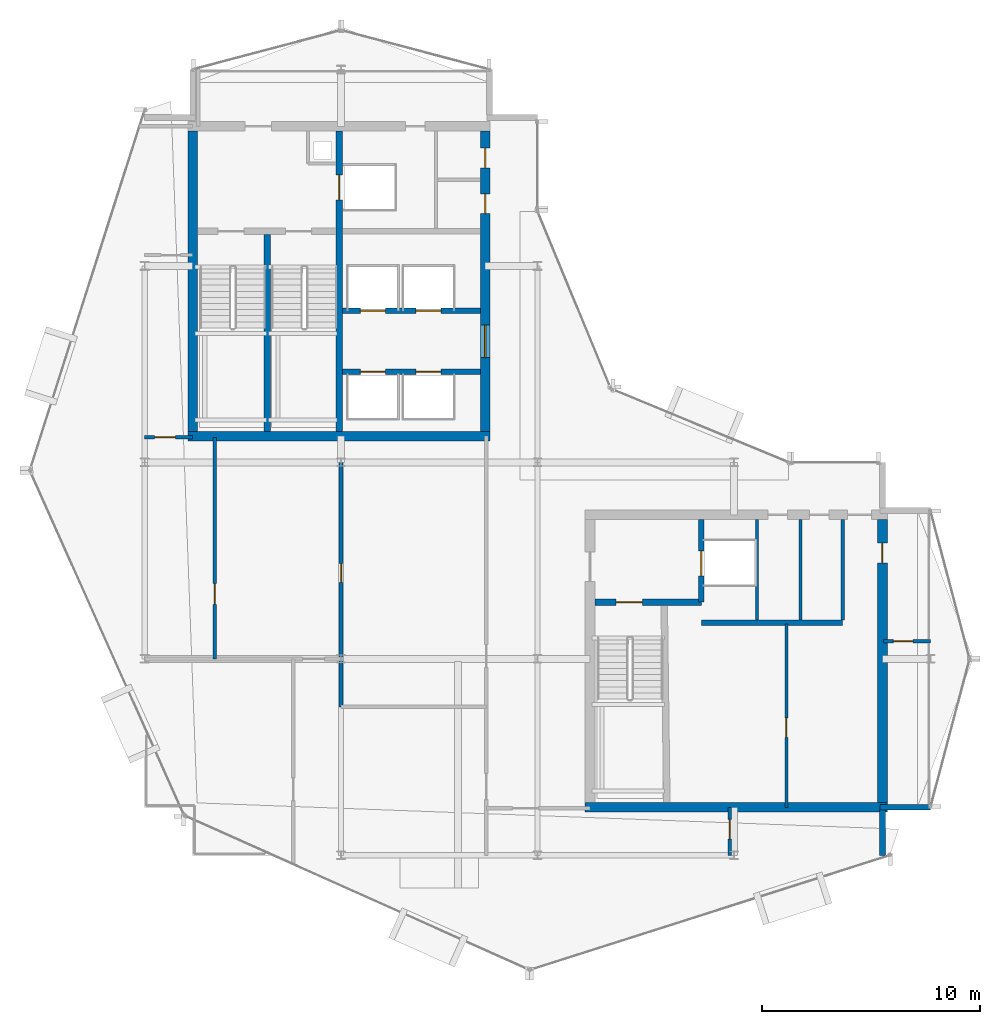
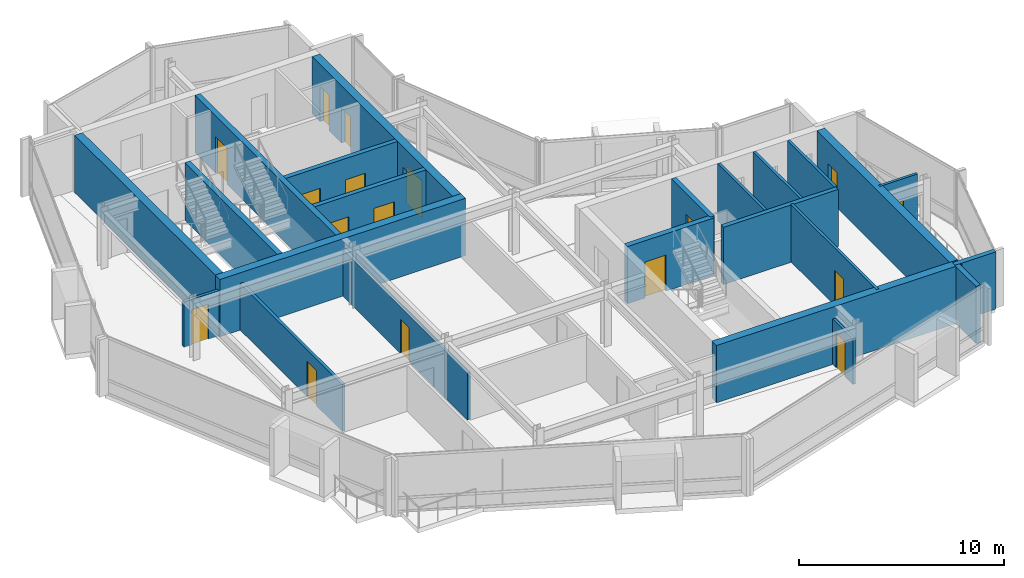
# One storey, part 14 of 19: 23 walls, 17 doors, 17 openings.
"""IFC4 building model written with IfcOpenShell, lengths in metres."""

from ifc_helpers import new_model, si_unit, direction, frame, frame_2d, origin, place, context, subcontext, project, spatial, rectangle, extrude, material, layer, layer_set, type_object, element, fill, save


model = new_model("IFC4")

# Units and contexts
model_context = context("Model", 3, precision=1e-05, world=origin(), true_north=direction((0.0, 1.0)))
body_context = subcontext(model_context, "Body", "Model", "MODEL_VIEW")
ifc_project = project(units=[si_unit("LENGTHUNIT", "METRE"), si_unit("AREAUNIT", "SQUARE_METRE"), si_unit("VOLUMEUNIT", "CUBIC_METRE"), si_unit("PLANEANGLEUNIT", "RADIAN"), si_unit("MASSUNIT", "GRAM", prefix="KILO")], contexts=[model_context])

# Site, building, storey
site_placement = place(None, origin())
site = spatial("IfcSite", under=ifc_project, at=site_placement, CompositionType="ELEMENT")
building_placement = place(site_placement, origin())
building = spatial("IfcBuilding", under=site, at=building_placement, Name="Solvaryn Broadcast Tower", CompositionType="ELEMENT")
storey_placement = place(building_placement, frame((0.0, 0.0, 266.699951171875)))
storey = spatial("IfcBuildingStorey", under=building, at=storey_placement, Name="L67", CompositionType="ELEMENT", Elevation=266.699951171875)

# Walls
ifc_material_1 = material(Name="Concrete f'c 70 MPa", Category="concrete")
ifc_layer_1 = layer(ifc_material_1, 0.449951171875)
ifc_layer_set_1 = layer_set([ifc_layer_1], Name="CW-SHEAR-450")
wall_type_1 = type_object("IfcWallType", Name="CW-SHEAR-450", PredefinedType="SHEAR", material=ifc_layer_set_1)
wall_1_placement = place(storey_placement, frame((10.97509765625, 28.199951171875, 0.0), z_axis=(0.0, 0.0, 1.0), x_axis=(1.0, 0.0, 0.0)))
element("IfcWall", 1, at=wall_1_placement, inside=storey, type_object=wall_type_1, Name="L67 West Core South Shear Wall", PredefinedType="SHEAR", context=body_context, shape_type="SweptSolid", body=[
    extrude(rectangle(XDim=13.849853515625, YDim=0.449951171875, at=frame_2d((6.9248046875, 0.0))), origin(), (0.0, 0.0, 1.0), 3.420166015625),
])
wall_2_placement = place(storey_placement, frame((11.199951171875, 42.175048828125, 0.0), z_axis=(0.0, 0.0, 1.0), x_axis=(0.0, -1.0, 0.0)))
element("IfcWall", 2, at=wall_2_placement, inside=storey, type_object=wall_type_1, Name="L67 West Core West Shear Wall", PredefinedType="SHEAR", context=body_context, shape_type="SweptSolid", body=[
    extrude(rectangle(XDim=13.75, YDim=0.449951171875, at=frame_2d((6.875, 0.0))), origin(), (0.0, 0.0, 1.0), 3.420166015625),
])

# Wall, openings, doors
wall_3_placement = place(storey_placement, frame((24.60009765625, 28.425048828125, 0.0), z_axis=(0.0, 0.0, 1.0), x_axis=(0.0, 1.0, 0.0)))
wall_3 = element("IfcWall", 3, at=wall_3_placement, inside=storey, type_object=wall_type_1, Name="L67 West Core East Shear Wall", PredefinedType="SHEAR", context=body_context, shape_type="SweptSolid", body=[
    extrude(rectangle(XDim=13.75, YDim=0.449951171875, at=frame_2d((6.875, 0.0))), origin(), (0.0, 0.0, 1.0), 3.420166015625),
])
opening_1_placement = place(wall_3_placement, frame((3.375, 0.0, 0.0)))
opening_1 = element("IfcOpeningElement", 4, at=opening_1_placement, cuts=wall_3, Name="Opening FD60A", PredefinedType="OPENING", context=body_context, shape_type="SweptSolid", body=[
    extrude(rectangle(XDim=1.5, YDim=2.199951171875, at=frame_2d((0.75, 1.10009765625))), frame((0.0, 0.235107421875, 0.0), z_axis=(0.0, -1.0, 0.0), x_axis=(1.0, 0.0, 0.0)), (0.0, 0.0, 1.0), 0.469970703125),
])
opening_2_placement = place(wall_3_placement, frame((9.97509765625, 0.0, 0.0)))
opening_2 = element("IfcOpeningElement", 5, at=opening_2_placement, cuts=wall_3, Name="Opening FD60C", PredefinedType="OPENING", context=body_context, shape_type="SweptSolid", body=[
    extrude(rectangle(XDim=0.89990234375, YDim=2.10009765625, at=frame_2d((0.449951171875, 1.050048828125))), frame((0.0, 0.235107421875, 0.0), z_axis=(0.0, -1.0, 0.0), x_axis=(1.0, 0.0, 0.0)), (0.0, 0.0, 1.0), 0.469970703125),
])
opening_3_placement = place(wall_3_placement, frame((12.074951171875, 0.0, 0.0)))
opening_3 = element("IfcOpeningElement", 6, at=opening_3_placement, cuts=wall_3, Name="Opening FD60C", PredefinedType="OPENING", context=body_context, shape_type="SweptSolid", body=[
    extrude(rectangle(XDim=0.89990234375, YDim=2.10009765625, at=frame_2d((0.449951171875, 1.050048828125))), frame((0.0, 0.235107421875, 0.0), z_axis=(0.0, -1.0, 0.0), x_axis=(1.0, 0.0, 0.0)), (0.0, 0.0, 1.0), 0.469970703125),
])
ifc_material_2 = material(Name="Flush Acoustic Steel and Timber Door Assembly", Category="steel")
door_type_1 = type_object("IfcDoorType", Name="FD60-CORR-1500X2200", OperationType="NOTDEFINED", PredefinedType="DOOR", material=ifc_material_2)
door_1_placement = place(opening_1_placement, origin())
door_1 = element("IfcDoor", 7, at=door_1_placement, inside=storey, type_object=door_type_1, Name="L67 West Elevator Lobby Corridor Door", OperationType="DOUBLE_DOOR_SINGLE_SWING", OverallHeight=2.199951171875, OverallWidth=1.5, PredefinedType="DOOR", context=body_context, shape_type="SweptSolid", body=[
    extrude(rectangle(XDim=1.5, YDim=2.199951171875, at=frame_2d((0.75, 1.10009765625))), frame((0.0, 0.02490234375, 0.0), z_axis=(0.0, -1.0, 0.0), x_axis=(1.0, 0.0, 0.0)), (0.0, 0.0, 1.0), 0.050048828125),
])
fill(opening_1, door_1)
ifc_material_3 = material(Name="Flush Acoustic Steel and Timber Door Assembly", Category="steel")
door_type_2 = type_object("IfcDoorType", Name="FD60-SERV-900X2100", OperationType="NOTDEFINED", PredefinedType="DOOR", material=ifc_material_3)
door_2_placement = place(opening_2_placement, origin())
door_2 = element("IfcDoor", 8, at=door_2_placement, inside=storey, type_object=door_type_2, Name="L67 West Core Service Door 1", OperationType="SINGLE_SWING_LEFT", OverallHeight=2.10009765625, OverallWidth=0.89990234375, PredefinedType="DOOR", context=body_context, shape_type="SweptSolid", body=[
    extrude(rectangle(XDim=0.89990234375, YDim=2.10009765625, at=frame_2d((0.449951171875, 1.050048828125))), frame((0.0, 0.02490234375, 0.0), z_axis=(0.0, -1.0, 0.0), x_axis=(1.0, 0.0, 0.0)), (0.0, 0.0, 1.0), 0.050048828125),
])
fill(opening_2, door_2)
door_3_placement = place(opening_3_placement, origin())
door_3 = element("IfcDoor", 9, at=door_3_placement, inside=storey, type_object=door_type_2, Name="L67 West Core Janitor Door", OperationType="SINGLE_SWING_RIGHT", OverallHeight=2.10009765625, OverallWidth=0.89990234375, PredefinedType="DOOR", context=body_context, shape_type="SweptSolid", body=[
    extrude(rectangle(XDim=0.89990234375, YDim=2.10009765625, at=frame_2d((0.449951171875, 1.050048828125))), frame((0.0, 0.02490234375, 0.0), z_axis=(0.0, -1.0, 0.0), x_axis=(1.0, 0.0, 0.0)), (0.0, 0.0, 1.0), 0.050048828125),
])
fill(opening_3, door_3)

# Wall
wall_4_placement = place(storey_placement, frame((29.175048828125, 11.199951171875, 0.0), z_axis=(0.0, 0.0, 1.0), x_axis=(1.0, 0.0, 0.0)))
element("IfcWall", 10, at=wall_4_placement, inside=storey, type_object=wall_type_1, Name="L67 East Core South Shear Wall", PredefinedType="SHEAR", context=body_context, shape_type="SweptSolid", body=[
    extrude(rectangle(XDim=13.849853515625, YDim=0.449951171875, at=frame_2d((6.9248046875, 0.0))), origin(), (0.0, 0.0, 1.0), 3.420166015625),
])

# Wall, opening, door
wall_5_placement = place(storey_placement, frame((42.800048828125, 11.425048828125, 0.0), z_axis=(0.0, 0.0, 1.0), x_axis=(0.0, 1.0, 0.0)))
wall_5 = element("IfcWall", 11, at=wall_5_placement, inside=storey, type_object=wall_type_1, Name="L67 East Core East Shear Wall", PredefinedType="SHEAR", context=body_context, shape_type="SweptSolid", body=[
    extrude(rectangle(XDim=12.949951171875, YDim=0.449951171875, at=frame_2d((6.47509765625, 0.0))), origin(), (0.0, 0.0, 1.0), 3.420166015625),
])
opening_4_placement = place(wall_5_placement, frame((10.97509765625, 0.0, 0.0)))
opening_4 = element("IfcOpeningElement", 12, at=opening_4_placement, cuts=wall_5, Name="Opening FD60C", PredefinedType="OPENING", context=body_context, shape_type="SweptSolid", body=[
    extrude(rectangle(XDim=0.89990234375, YDim=2.10009765625, at=frame_2d((0.449951171875, 1.050048828125))), frame((0.0, 0.235107421875, 0.0), z_axis=(0.0, -1.0, 0.0), x_axis=(1.0, 0.0, 0.0)), (0.0, 0.0, 1.0), 0.469970703125),
])
door_4_placement = place(opening_4_placement, origin())
door_4 = element("IfcDoor", 13, at=door_4_placement, inside=storey, type_object=door_type_2, Name="L67 Upper East Studio Door", OperationType="SINGLE_SWING_RIGHT", OverallHeight=2.10009765625, OverallWidth=0.89990234375, PredefinedType="DOOR", context=body_context, shape_type="SweptSolid", body=[
    extrude(rectangle(XDim=0.89990234375, YDim=2.10009765625, at=frame_2d((0.449951171875, 1.050048828125))), frame((0.0, 0.02490234375, 0.0), z_axis=(0.0, -1.0, 0.0), x_axis=(1.0, 0.0, 0.0)), (0.0, 0.0, 1.0), 0.050048828125),
])
fill(opening_4, door_4)

# Walls
ifc_material_4 = material(Name="Concrete f'c 50 MPa", Category="concrete")
ifc_layer_2 = layer(ifc_material_4, 0.260009765625)
ifc_layer_set_2 = layer_set([ifc_layer_2], Name="EW-PIER-260")
wall_type_2 = type_object("IfcWallType", Name="EW-PIER-260", PredefinedType="SOLIDWALL", material=ifc_layer_set_2)
wall_6_placement = place(storey_placement, frame((42.800048828125, 9.0, 0.0), z_axis=(0.0, 0.0, 1.0), x_axis=(0.0, 1.0, 0.0)))
element("IfcWall", 14, at=wall_6_placement, inside=storey, type_object=wall_type_2, Name="L67 Notched Corner Pier Wall NSE1", PredefinedType="SOLIDWALL", context=body_context, shape_type="SweptSolid", body=[
    extrude(rectangle(XDim=2.080078125, YDim=0.260009765625, at=frame_2d((1.0400390625, 0.0))), origin(), (0.0, 0.0, 1.0), 3.420166015625),
])
wall_7_placement = place(storey_placement, frame((42.679931640625, 11.199951171875, 0.0), z_axis=(0.0, 0.0, 1.0), x_axis=(1.0, 0.0, 0.0)))
element("IfcWall", 15, at=wall_7_placement, inside=storey, type_object=wall_type_2, Name="L67 Notched Corner Pier Wall NSE2", PredefinedType="SOLIDWALL", context=body_context, shape_type="SweptSolid", body=[
    extrude(rectangle(XDim=2.320068359375, YDim=0.260009765625, at=frame_2d((1.16015625, 0.0))), origin(), (0.0, 0.0, 1.0), 3.420166015625),
])

# Wall, opening, door
ifc_material_5 = material(Name="Metal-Stud Service Core Partition")
ifc_layer_3 = layer(ifc_material_5, 0.14990234375)
ifc_layer_set_3 = layer_set([ifc_layer_3], Name="IW-PART-150")
wall_type_3 = type_object("IfcWallType", Name="IW-PART-150", PredefinedType="PARTITIONING", material=ifc_layer_set_3)
wall_8_placement = place(storey_placement, frame((38.39990234375, 11.199951171875, 0.0), z_axis=(0.0, 0.0, 1.0), x_axis=(0.0, 1.0, 0.0)))
wall_8 = element("IfcWall", 16, at=wall_8_placement, inside=storey, type_object=wall_type_3, Name="L67 Interior Partition IW-L67-RPM-V", PredefinedType="PARTITIONING", context=body_context, shape_type="SweptSolid", body=[
    extrude(rectangle(XDim=8.400146484375, YDim=0.14990234375, at=frame_2d((4.2001953125, 0.0))), origin(), (0.0, 0.0, 1.0), 3.420166015625),
])
opening_5_placement = place(wall_8_placement, frame((3.199951171875, 0.0, 0.0)))
opening_5 = element("IfcOpeningElement", 17, at=opening_5_placement, cuts=wall_8, Name="Opening FD60C", PredefinedType="OPENING", context=body_context, shape_type="SweptSolid", body=[
    extrude(rectangle(XDim=0.89990234375, YDim=2.10009765625, at=frame_2d((0.449951171875, 1.050048828125))), frame((0.0, 0.0849609375, 0.0), z_axis=(0.0, -1.0, 0.0), x_axis=(1.0, 0.0, 0.0)), (0.0, 0.0, 1.0), 0.169921875),
])
door_5_placement = place(opening_5_placement, origin())
door_5 = element("IfcDoor", 18, at=door_5_placement, inside=storey, type_object=door_type_2, Name="L67 Door DR-L67-RPM1", OperationType="SINGLE_SWING_LEFT", OverallHeight=2.10009765625, OverallWidth=0.89990234375, PredefinedType="DOOR", context=body_context, shape_type="SweptSolid", body=[
    extrude(rectangle(XDim=0.89990234375, YDim=2.10009765625, at=frame_2d((0.449951171875, 1.050048828125))), frame((0.0, 0.02490234375, 0.0), z_axis=(0.0, -1.0, 0.0), x_axis=(1.0, 0.0, 0.0)), (0.0, 0.0, 1.0), 0.050048828125),
])
fill(opening_5, door_5)

# Walls
for number, where, z_axis, x_axis, name in (
    (19, (37.050048828125, 19.780029296875, 0.0), (0.0, 0.0, 1.0), (0.0, 1.0, 0.0), "L67 Interior Partition IW-L67-CE-FL2E"),
    (20, (39.050048828125, 19.780029296875, 0.0), (0.0, 0.0, 1.0), (0.0, 1.0, 0.0), "L67 Interior Partition IW-L67-CE-V1"),
    (21, (40.97998046875, 19.780029296875, 0.0), (0.0, 0.0, 1.0), (0.0, 1.0, 0.0), "L67 Interior Partition IW-L67-CE-V3"),
):
    element("IfcWall", number, at=place(storey_placement, frame(where, z_axis=z_axis, x_axis=x_axis)), inside=storey, type_object=wall_type_3, Name=name, PredefinedType="PARTITIONING", context=body_context, shape_type="SweptSolid", body=[
        extrude(rectangle(XDim=4.594970703125, YDim=0.14990234375, at=frame_2d((2.29736328125, 0.0))), origin(), (0.0, 0.0, 1.0), 3.420166015625),
    ])

# Wall, opening, door
wall_9_placement = place(storey_placement, frame((35.800048828125, 9.0, 0.0), z_axis=(0.0, 0.0, 1.0), x_axis=(0.0, 1.0, 0.0)))
wall_9 = element("IfcWall", 22, at=wall_9_placement, inside=storey, type_object=wall_type_3, Name="L67 Interior Partition IW-L67-SC-V", PredefinedType="PARTITIONING", context=body_context, shape_type="SweptSolid", body=[
    extrude(rectangle(XDim=2.199951171875, YDim=0.14990234375, at=frame_2d((1.10009765625, 0.0))), origin(), (0.0, 0.0, 1.0), 2.70703125),
])
opening_6_placement = place(wall_9_placement, frame((0.75, 0.0, 0.0)))
opening_6 = element("IfcOpeningElement", 23, at=opening_6_placement, cuts=wall_9, Name="Opening FD60C", PredefinedType="OPENING", context=body_context, shape_type="SweptSolid", body=[
    extrude(rectangle(XDim=0.89990234375, YDim=2.10009765625, at=frame_2d((0.449951171875, 1.050048828125))), frame((0.0, 0.0849609375, 0.0), z_axis=(0.0, -1.0, 0.0), x_axis=(1.0, 0.0, 0.0)), (0.0, 0.0, 1.0), 0.169921875),
])
door_6_placement = place(opening_6_placement, origin())
door_6 = element("IfcDoor", 24, at=door_6_placement, inside=storey, type_object=door_type_2, Name="L67 Door DR-L67-SC1", OperationType="SINGLE_SWING_LEFT", OverallHeight=2.10009765625, OverallWidth=0.89990234375, PredefinedType="DOOR", context=body_context, shape_type="SweptSolid", body=[
    extrude(rectangle(XDim=0.89990234375, YDim=2.10009765625, at=frame_2d((0.449951171875, 1.050048828125))), frame((0.0, 0.02490234375, 0.0), z_axis=(0.0, -1.0, 0.0), x_axis=(1.0, 0.0, 0.0)), (0.0, 0.0, 1.0), 0.050048828125),
])
fill(opening_6, door_6)

wall_10_placement = place(storey_placement, frame((42.85009765625, 18.800048828125, 0.0), z_axis=(0.0, 0.0, 1.0), x_axis=(1.0, 0.0, 0.0)))
wall_10 = element("IfcWall", 25, at=wall_10_placement, inside=storey, type_object=wall_type_3, Name="L67 Interior Partition IW-L67-E4M", PredefinedType="PARTITIONING", context=body_context, shape_type="SweptSolid", body=[
    extrude(rectangle(XDim=2.14990234375, YDim=0.14990234375, at=frame_2d((1.074951171875, 0.0))), origin(), (0.0, 0.0, 1.0), 3.420166015625),
])
opening_7_placement = place(wall_10_placement, frame((0.449951171875, 0.0, 0.0)))
opening_7 = element("IfcOpeningElement", 26, at=opening_7_placement, cuts=wall_10, Name="Opening FD60C", PredefinedType="OPENING", context=body_context, shape_type="SweptSolid", body=[
    extrude(rectangle(XDim=0.89990234375, YDim=2.10009765625, at=frame_2d((0.449951171875, 1.050048828125))), frame((0.0, 0.0849609375, 0.0), z_axis=(0.0, -1.0, 0.0), x_axis=(1.0, 0.0, 0.0)), (0.0, 0.0, 1.0), 0.169921875),
])
door_7_placement = place(opening_7_placement, origin())
door_7 = element("IfcDoor", 27, at=door_7_placement, inside=storey, type_object=door_type_2, Name="L67 Door DR-L67-E4M", OperationType="SINGLE_SWING_RIGHT", OverallHeight=2.10009765625, OverallWidth=0.89990234375, PredefinedType="DOOR", context=body_context, shape_type="SweptSolid", body=[
    extrude(rectangle(XDim=0.89990234375, YDim=2.10009765625, at=frame_2d((0.449951171875, 1.050048828125))), frame((0.0, 0.02490234375, 0.0), z_axis=(0.0, -1.0, 0.0), x_axis=(1.0, 0.0, 0.0)), (0.0, 0.0, 1.0), 0.050048828125),
])
fill(opening_7, door_7)

ifc_material_6 = material(Name="Metal-Stud Gypsum Office Partition")
ifc_layer_4 = layer(ifc_material_6, 0.159912109375)
ifc_layer_set_4 = layer_set([ifc_layer_4], Name="IW-PART-160")
wall_type_4 = type_object("IfcWallType", Name="IW-PART-160", PredefinedType="PARTITIONING", material=ifc_layer_set_4)
wall_11_placement = place(storey_placement, frame((9.0, 28.14990234375, 0.0), z_axis=(0.0, 0.0, 1.0), x_axis=(1.0, 0.0, 0.0)))
wall_11 = element("IfcWall", 28, at=wall_11_placement, inside=storey, type_object=wall_type_4, Name="L67 Interior Partition IW-L67-WM-S", PredefinedType="PARTITIONING", context=body_context, shape_type="SweptSolid", body=[
    extrude(rectangle(XDim=2.199951171875, YDim=0.159912109375, at=frame_2d((1.10009765625, 0.0))), origin(), (0.0, 0.0, 1.0), 2.70703125),
])
opening_8_placement = place(wall_11_placement, frame((0.449951171875, 0.0, 0.0)))
opening_8 = element("IfcOpeningElement", 29, at=opening_8_placement, cuts=wall_11, Name="Opening ID01", PredefinedType="OPENING", context=body_context, shape_type="SweptSolid", body=[
    extrude(rectangle(XDim=0.949951171875, YDim=2.10009765625, at=frame_2d((0.47509765625, 1.050048828125))), frame((0.0, 0.090087890625, 0.0), z_axis=(0.0, -1.0, 0.0), x_axis=(1.0, 0.0, 0.0)), (0.0, 0.0, 1.0), 0.179931640625),
])
ifc_material_7 = material(Name="Flush Acoustic Steel and Timber Door Assembly", Category="steel")
door_type_3 = type_object("IfcDoorType", Name="ID-01-950X2100", OperationType="NOTDEFINED", PredefinedType="DOOR", material=ifc_material_7)
door_8_placement = place(opening_8_placement, origin())
door_8 = element("IfcDoor", 30, at=door_8_placement, inside=storey, type_object=door_type_3, Name="L67 Door DR-L67-WM0", OperationType="SINGLE_SWING_RIGHT", OverallHeight=2.10009765625, OverallWidth=0.949951171875, PredefinedType="DOOR", context=body_context, shape_type="SweptSolid", body=[
    extrude(rectangle(XDim=0.949951171875, YDim=2.10009765625, at=frame_2d((0.47509765625, 1.050048828125))), frame((0.0, 0.02490234375, 0.0), z_axis=(0.0, -1.0, 0.0), x_axis=(1.0, 0.0, 0.0)), (0.0, 0.0, 1.0), 0.050048828125),
])
fill(opening_8, door_8)

wall_12_placement = place(storey_placement, frame((12.199951171875, 18.0, 0.0), z_axis=(0.0, 0.0, 1.0), x_axis=(0.0, 1.0, 0.0)))
wall_12 = element("IfcWall", 31, at=wall_12_placement, inside=storey, type_object=wall_type_4, Name="L67 Interior Partition IW-L67-SW-NWV", PredefinedType="PARTITIONING", context=body_context, shape_type="SweptSolid", body=[
    extrude(rectangle(XDim=10.1298828125, YDim=0.159912109375, at=frame_2d((5.06494140625, 0.0))), origin(), (0.0, 0.0, 1.0), 2.7890625),
])
opening_9_placement = place(wall_12_placement, frame((2.5, 0.0, 0.0)))
opening_9 = element("IfcOpeningElement", 32, at=opening_9_placement, cuts=wall_12, Name="Opening ID01", PredefinedType="OPENING", context=body_context, shape_type="SweptSolid", body=[
    extrude(rectangle(XDim=0.949951171875, YDim=2.10009765625, at=frame_2d((0.47509765625, 1.050048828125))), frame((0.0, 0.090087890625, 0.0), z_axis=(0.0, -1.0, 0.0), x_axis=(1.0, 0.0, 0.0)), (0.0, 0.0, 1.0), 0.179931640625),
])
door_9_placement = place(opening_9_placement, origin())
door_9 = element("IfcDoor", 33, at=door_9_placement, inside=storey, type_object=door_type_3, Name="L67 Door DR-L67-SWL-NW", OperationType="SINGLE_SWING_LEFT", OverallHeight=2.10009765625, OverallWidth=0.949951171875, PredefinedType="DOOR", context=body_context, shape_type="SweptSolid", body=[
    extrude(rectangle(XDim=0.949951171875, YDim=2.10009765625, at=frame_2d((0.47509765625, 1.050048828125))), frame((0.0, 0.02490234375, 0.0), z_axis=(0.0, -1.0, 0.0), x_axis=(1.0, 0.0, 0.0)), (0.0, 0.0, 1.0), 0.050048828125),
])
fill(opening_9, door_9)

ifc_material_8 = material(Name="Acoustic Metal-Stud Gypsum Partition")
ifc_layer_5 = layer(ifc_material_8, 0.179931640625)
ifc_layer_set_5 = layer_set([ifc_layer_5], Name="IW-PART-180")
wall_type_5 = type_object("IfcWallType", Name="IW-PART-180", PredefinedType="PARTITIONING", material=ifc_layer_set_5)
wall_13_placement = place(storey_placement, frame((18.0, 15.800048828125, 0.0), z_axis=(0.0, 0.0, 1.0), x_axis=(0.0, 1.0, 0.0)))
wall_13 = element("IfcWall", 34, at=wall_13_placement, inside=storey, type_object=wall_type_5, Name="L67 Interior Partition IW-L67-SW-LV", PredefinedType="PARTITIONING", context=body_context, shape_type="SweptSolid", body=[
    extrude(rectangle(XDim=12.329833984375, YDim=0.179931640625, at=frame_2d((6.1650390625, 0.0))), origin(), (0.0, 0.0, 1.0), 2.7890625),
])
opening_10_placement = place(wall_13_placement, frame((5.699951171875, 0.0, 0.0)))
opening_10 = element("IfcOpeningElement", 35, at=opening_10_placement, cuts=wall_13, Name="Opening ID07", PredefinedType="OPENING", context=body_context, shape_type="SweptSolid", body=[
    extrude(rectangle(XDim=0.860107421875, YDim=2.050048828125, at=frame_2d((0.43017578125, 1.02490234375))), frame((0.0, 0.099853515625, 0.0), z_axis=(0.0, -1.0, 0.0), x_axis=(1.0, 0.0, 0.0)), (0.0, 0.0, 1.0), 0.199951171875),
])
ifc_material_9 = material(Name="Flush Acoustic Steel and Timber Door Assembly", Category="steel")
door_type_4 = type_object("IfcDoorType", Name="ID-07-860X2050", OperationType="NOTDEFINED", PredefinedType="DOOR", material=ifc_material_9)
door_10_placement = place(opening_10_placement, origin())
door_10 = element("IfcDoor", 36, at=door_10_placement, inside=storey, type_object=door_type_4, Name="L67 Door DR-L67-SWL-LV", OperationType="SINGLE_SWING_RIGHT", OverallHeight=2.050048828125, OverallWidth=0.860107421875, PredefinedType="DOOR", context=body_context, shape_type="SweptSolid", body=[
    extrude(rectangle(XDim=0.860107421875, YDim=2.050048828125, at=frame_2d((0.43017578125, 1.02490234375))), frame((0.0, 0.02490234375, 0.0), z_axis=(0.0, -1.0, 0.0), x_axis=(1.0, 0.0, 0.0)), (0.0, 0.0, 1.0), 0.050048828125),
])
fill(opening_10, door_10)

# Wall, openings, doors
ifc_material_10 = material(Name="Concrete f'c 60 MPa", Category="concrete")
ifc_layer_6 = layer(ifc_material_10, 0.25)
ifc_layer_set_6 = layer_set([ifc_layer_6], Name="SW-SHAFT-250")
wall_type_6 = type_object("IfcWallType", Name="SW-SHAFT-250", PredefinedType="PARTITIONING", material=ifc_layer_set_6)
wall_14_placement = place(storey_placement, frame((18.070068359375, 31.14990234375, 0.0), z_axis=(0.0, 0.0, 1.0), x_axis=(1.0, 0.0, 0.0)))
wall_14 = element("IfcWall", 37, at=wall_14_placement, inside=storey, type_object=wall_type_6, Name="L67 High-Rise Lift Bank South Wall", PredefinedType="PARTITIONING", context=body_context, shape_type="SweptSolid", body=[
    extrude(rectangle(XDim=6.304931640625, YDim=0.25, at=frame_2d((3.15234375, 0.0))), origin(), (0.0, 0.0, 1.0), 3.420166015625),
])
opening_11_placement = place(wall_14_placement, frame((0.804931640625, 0.0, 0.0)))
opening_11 = element("IfcOpeningElement", 38, at=opening_11_placement, cuts=wall_14, Name="Opening LD01", PredefinedType="OPENING", context=body_context, shape_type="SweptSolid", body=[
    extrude(rectangle(XDim=1.14990234375, YDim=2.14990234375, at=frame_2d((0.574951171875, 1.074951171875))), frame((0.0, 0.135009765625, 0.0), z_axis=(0.0, -1.0, 0.0), x_axis=(1.0, 0.0, 0.0)), (0.0, 0.0, 1.0), 0.27001953125),
])
opening_12_placement = place(wall_14_placement, frame((3.35498046875, 0.0, 0.0)))
opening_12 = element("IfcOpeningElement", 39, at=opening_12_placement, cuts=wall_14, Name="Opening LD01", PredefinedType="OPENING", context=body_context, shape_type="SweptSolid", body=[
    extrude(rectangle(XDim=1.14990234375, YDim=2.14990234375, at=frame_2d((0.574951171875, 1.074951171875))), frame((0.0, 0.135009765625, 0.0), z_axis=(0.0, -1.0, 0.0), x_axis=(1.0, 0.0, 0.0)), (0.0, 0.0, 1.0), 0.27001953125),
])
ifc_material_11 = material(Name="Flush Acoustic Steel and Timber Door Assembly", Category="steel")
door_type_5 = type_object("IfcDoorType", Name="LD-LIFT-1150X2150", OperationType="NOTDEFINED", PredefinedType="DOOR", material=ifc_material_11)
door_11_placement = place(opening_11_placement, origin())
door_11 = element("IfcDoor", 40, at=door_11_placement, inside=storey, type_object=door_type_5, Name="L67 PH1 Lift Landing Door", OperationType="DOUBLE_DOOR_SLIDING", OverallHeight=2.14990234375, OverallWidth=1.14990234375, PredefinedType="DOOR", context=body_context, shape_type="SweptSolid", body=[
    extrude(rectangle(XDim=1.14990234375, YDim=2.14990234375, at=frame_2d((0.574951171875, 1.074951171875))), frame((0.0, 0.02490234375, 0.0), z_axis=(0.0, -1.0, 0.0), x_axis=(1.0, 0.0, 0.0)), (0.0, 0.0, 1.0), 0.050048828125),
])
fill(opening_11, door_11)
door_12_placement = place(opening_12_placement, origin())
door_12 = element("IfcDoor", 41, at=door_12_placement, inside=storey, type_object=door_type_5, Name="L67 PH2 Lift Landing Door", OperationType="DOUBLE_DOOR_SLIDING", OverallHeight=2.14990234375, OverallWidth=1.14990234375, PredefinedType="DOOR", context=body_context, shape_type="SweptSolid", body=[
    extrude(rectangle(XDim=1.14990234375, YDim=2.14990234375, at=frame_2d((0.574951171875, 1.074951171875))), frame((0.0, 0.02490234375, 0.0), z_axis=(0.0, -1.0, 0.0), x_axis=(1.0, 0.0, 0.0)), (0.0, 0.0, 1.0), 0.050048828125),
])
fill(opening_12, door_12)

wall_15_placement = place(storey_placement, frame((24.375, 33.949951171875, 0.0), z_axis=(0.0, 0.0, 1.0), x_axis=(-1.0, 0.0, 0.0)))
wall_15 = element("IfcWall", 42, at=wall_15_placement, inside=storey, type_object=wall_type_6, Name="L67 High-Rise Lift Bank North Wall", PredefinedType="PARTITIONING", context=body_context, shape_type="SweptSolid", body=[
    extrude(rectangle(XDim=6.304931640625, YDim=0.25, at=frame_2d((3.15234375, 0.0))), origin(), (0.0, 0.0, 1.0), 3.420166015625),
])
opening_13_placement = place(wall_15_placement, frame((4.35009765625, 0.0, 0.0)))
opening_13 = element("IfcOpeningElement", 43, at=opening_13_placement, cuts=wall_15, Name="Opening LD01", PredefinedType="OPENING", context=body_context, shape_type="SweptSolid", body=[
    extrude(rectangle(XDim=1.14990234375, YDim=2.14990234375, at=frame_2d((0.574951171875, 1.074951171875))), frame((0.0, 0.135009765625, 0.0), z_axis=(0.0, -1.0, 0.0), x_axis=(1.0, 0.0, 0.0)), (0.0, 0.0, 1.0), 0.27001953125),
])
opening_14_placement = place(wall_15_placement, frame((1.800048828125, 0.0, 0.0)))
opening_14 = element("IfcOpeningElement", 44, at=opening_14_placement, cuts=wall_15, Name="Opening LD01", PredefinedType="OPENING", context=body_context, shape_type="SweptSolid", body=[
    extrude(rectangle(XDim=1.14990234375, YDim=2.14990234375, at=frame_2d((0.574951171875, 1.074951171875))), frame((0.0, 0.135009765625, 0.0), z_axis=(0.0, -1.0, 0.0), x_axis=(1.0, 0.0, 0.0)), (0.0, 0.0, 1.0), 0.27001953125),
])
door_13_placement = place(opening_13_placement, origin())
door_13 = element("IfcDoor", 45, at=door_13_placement, inside=storey, type_object=door_type_5, Name="L67 PH3 Lift Landing Door", OperationType="DOUBLE_DOOR_SLIDING", OverallHeight=2.14990234375, OverallWidth=1.14990234375, PredefinedType="DOOR", context=body_context, shape_type="SweptSolid", body=[
    extrude(rectangle(XDim=1.14990234375, YDim=2.14990234375, at=frame_2d((0.574951171875, 1.074951171875))), frame((0.0, 0.02490234375, 0.0), z_axis=(0.0, -1.0, 0.0), x_axis=(1.0, 0.0, 0.0)), (0.0, 0.0, 1.0), 0.050048828125),
])
fill(opening_13, door_13)
door_14_placement = place(opening_14_placement, origin())
door_14 = element("IfcDoor", 46, at=door_14_placement, inside=storey, type_object=door_type_5, Name="L67 PH4 Lift Landing Door", OperationType="DOUBLE_DOOR_SLIDING", OverallHeight=2.14990234375, OverallWidth=1.14990234375, PredefinedType="DOOR", context=body_context, shape_type="SweptSolid", body=[
    extrude(rectangle(XDim=1.14990234375, YDim=2.14990234375, at=frame_2d((0.574951171875, 1.074951171875))), frame((0.0, 0.02490234375, 0.0), z_axis=(0.0, -1.0, 0.0), x_axis=(1.0, 0.0, 0.0)), (0.0, 0.0, 1.0), 0.050048828125),
])
fill(opening_14, door_14)

# Wall, opening, door
wall_16_placement = place(storey_placement, frame((34.5, 20.60009765625, 0.0), z_axis=(0.0, 0.0, 1.0), x_axis=(0.0, 1.0, 0.0)))
wall_16 = element("IfcWall", 47, at=wall_16_placement, inside=storey, type_object=wall_type_6, Name="L67 East FSAE Lobby East Wall", PredefinedType="PARTITIONING", context=body_context, shape_type="SweptSolid", body=[
    extrude(rectangle(XDim=3.77490234375, YDim=0.25, at=frame_2d((1.887451171875, 0.0))), origin(), (0.0, 0.0, 1.0), 3.420166015625),
])
opening_15_placement = place(wall_16_placement, frame((1.199951171875, 0.0, 0.0)))
opening_15 = element("IfcOpeningElement", 48, at=opening_15_placement, cuts=wall_16, Name="Opening LD01", PredefinedType="OPENING", context=body_context, shape_type="SweptSolid", body=[
    extrude(rectangle(XDim=1.14990234375, YDim=2.14990234375, at=frame_2d((0.574951171875, 1.074951171875))), frame((0.0, 0.135009765625, 0.0), z_axis=(0.0, -1.0, 0.0), x_axis=(1.0, 0.0, 0.0)), (0.0, 0.0, 1.0), 0.27001953125),
])
door_15_placement = place(opening_15_placement, origin())
door_15 = element("IfcDoor", 49, at=door_15_placement, inside=storey, type_object=door_type_5, Name="L67 FL2 Lift Landing Door", OperationType="DOUBLE_DOOR_SLIDING", OverallHeight=2.14990234375, OverallWidth=1.14990234375, PredefinedType="DOOR", context=body_context, shape_type="SweptSolid", body=[
    extrude(rectangle(XDim=1.14990234375, YDim=2.14990234375, at=frame_2d((0.574951171875, 1.074951171875))), frame((0.0, 0.02490234375, 0.0), z_axis=(0.0, -1.0, 0.0), x_axis=(1.0, 0.0, 0.0)), (0.0, 0.0, 1.0), 0.050048828125),
])
fill(opening_15, door_15)

# Walls
wall_17_placement = place(storey_placement, frame((34.5, 19.64990234375, 0.0), z_axis=(0.0, 0.0, 1.0), x_axis=(1.0, 0.0, 0.0)))
element("IfcWall", 50, at=wall_17_placement, inside=storey, type_object=wall_type_6, Name="L67 East Core Restroom South Wall", PredefinedType="PARTITIONING", context=body_context, shape_type="SweptSolid", body=[
    extrude(rectangle(XDim=6.47998046875, YDim=0.25, at=frame_2d((3.239990234375, 0.0))), origin(), (0.0, 0.0, 1.0), 3.420166015625),
])
ifc_material_12 = material(Name="Concrete f'c 70 MPa", Category="concrete")
ifc_layer_7 = layer(ifc_material_12, 0.300048828125)
ifc_layer_set_7 = layer_set([ifc_layer_7], Name="SW-SHAFT-300")
wall_type_7 = type_object("IfcWallType", Name="SW-SHAFT-300", PredefinedType="SHEAR", material=ifc_layer_set_7)
wall_18_placement = place(storey_placement, frame((14.6201171875, 28.425048828125, 0.0), z_axis=(0.0, 0.0, 1.0), x_axis=(0.0, 1.0, 0.0)))
element("IfcWall", 51, at=wall_18_placement, inside=storey, type_object=wall_type_7, Name="L67 Stair 1-2 Dividing Wall", PredefinedType="SHEAR", context=body_context, shape_type="SweptSolid", body=[
    extrude(rectangle(XDim=9.02490234375, YDim=0.300048828125, at=frame_2d((4.512451171875, 0.0))), origin(), (0.0, 0.0, 1.0), 3.420166015625),
])

# Wall, opening, door
wall_19_placement = place(storey_placement, frame((17.919921875, 42.175048828125, 0.0), z_axis=(0.0, 0.0, 1.0), x_axis=(0.0, -1.0, 0.0)))
wall_19 = element("IfcWall", 52, at=wall_19_placement, inside=storey, type_object=wall_type_7, Name="L67 West Core Stair-Lobby Shear Wall", PredefinedType="SHEAR", context=body_context, shape_type="SweptSolid", body=[
    extrude(rectangle(XDim=13.75, YDim=0.300048828125, at=frame_2d((6.875, 0.0))), origin(), (0.0, 0.0, 1.0), 3.420166015625),
])
opening_16_placement = place(wall_19_placement, frame((2.0, 0.0, 0.0)))
opening_16 = element("IfcOpeningElement", 53, at=opening_16_placement, cuts=wall_19, Name="Opening LD01", PredefinedType="OPENING", context=body_context, shape_type="SweptSolid", body=[
    extrude(rectangle(XDim=1.14990234375, YDim=2.14990234375, at=frame_2d((0.574951171875, 1.074951171875))), frame((0.0, 0.159912109375, 0.0), z_axis=(0.0, -1.0, 0.0), x_axis=(1.0, 0.0, 0.0)), (0.0, 0.0, 1.0), 0.320068359375),
])
door_16_placement = place(opening_16_placement, origin())
door_16 = element("IfcDoor", 54, at=door_16_placement, inside=storey, type_object=door_type_5, Name="L67 FL1 Lift Landing Door", OperationType="DOUBLE_DOOR_SLIDING", OverallHeight=2.14990234375, OverallWidth=1.14990234375, PredefinedType="DOOR", context=body_context, shape_type="SweptSolid", body=[
    extrude(rectangle(XDim=1.14990234375, YDim=2.14990234375, at=frame_2d((0.574951171875, 1.074951171875))), frame((0.0, 0.02490234375, 0.0), z_axis=(0.0, -1.0, 0.0), x_axis=(1.0, 0.0, 0.0)), (0.0, 0.0, 1.0), 0.050048828125),
])
fill(opening_16, door_16)

wall_20_placement = place(storey_placement, frame((34.5, 20.60009765625, 0.0), z_axis=(0.0, 0.0, 1.0), x_axis=(-1.0, 0.0, 0.0)))
wall_20 = element("IfcWall", 55, at=wall_20_placement, inside=storey, type_object=wall_type_7, Name="L67 East FSAE Lobby South Wall", PredefinedType="SHEAR", context=body_context, shape_type="SweptSolid", body=[
    extrude(rectangle(XDim=4.875, YDim=0.300048828125, at=frame_2d((2.4375, 0.0))), origin(), (0.0, 0.0, 1.0), 3.420166015625),
])
opening_17_placement = place(wall_20_placement, frame((2.699951171875, 0.0, 0.0)))
opening_17 = element("IfcOpeningElement", 56, at=opening_17_placement, cuts=wall_20, Name="Opening FD90A", PredefinedType="OPENING", context=body_context, shape_type="SweptSolid", body=[
    extrude(rectangle(XDim=1.199951171875, YDim=2.14990234375, at=frame_2d((0.60009765625, 1.074951171875))), frame((0.0, 0.159912109375, 0.0), z_axis=(0.0, -1.0, 0.0), x_axis=(1.0, 0.0, 0.0)), (0.0, 0.0, 1.0), 0.320068359375),
])
ifc_material_13 = material(Name="Flush Acoustic Steel and Timber Door Assembly", Category="steel")
door_type_6 = type_object("IfcDoorType", Name="FD90-STAIR-1200X2150", OperationType="NOTDEFINED", PredefinedType="DOOR", material=ifc_material_13)
door_17_placement = place(opening_17_placement, origin())
door_17 = element("IfcDoor", 57, at=door_17_placement, inside=storey, type_object=door_type_6, Name="L67 Stair 3 Fire Door", OperationType="SINGLE_SWING_LEFT", OverallHeight=2.14990234375, OverallWidth=1.199951171875, PredefinedType="DOOR", context=body_context, shape_type="SweptSolid", body=[
    extrude(rectangle(XDim=1.199951171875, YDim=2.14990234375, at=frame_2d((0.60009765625, 1.074951171875))), frame((0.0, 0.02490234375, 0.0), z_axis=(0.0, -1.0, 0.0), x_axis=(1.0, 0.0, 0.0)), (0.0, 0.0, 1.0), 0.050048828125),
])
fill(opening_17, door_17)

save(model, "model.ifc")
